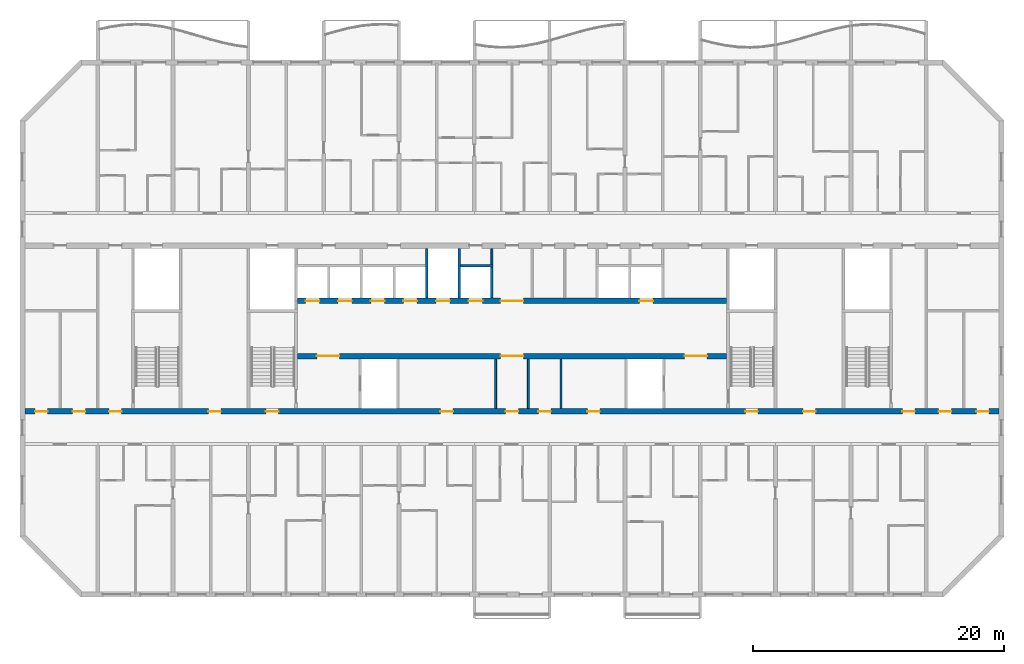
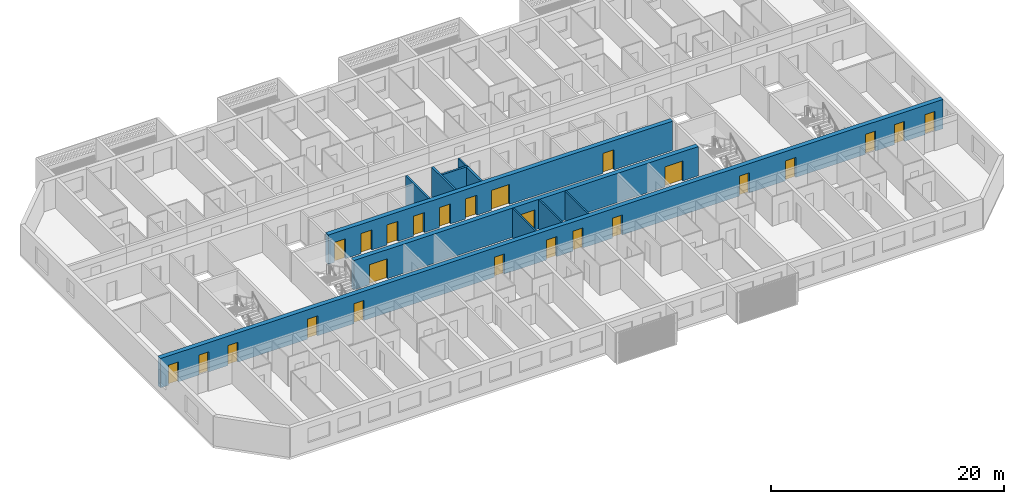
# One storey, part 6 of 31: 25 doors, 11 walls, 25 openings.
"""IFC4 building model written with IfcOpenShell, lengths in metres."""

from ifc_helpers import new_model, si_unit, direction, frame, frame_2d, origin, place, context, subcontext, project, spatial, rectangle, extrude, material, layer, layer_set, type_object, element, fill, save


model = new_model("IFC4")

# Units and contexts
model_context = context("Model", 3, precision=1e-05, world=origin(), true_north=direction((0.0, 1.0)))
body_context = subcontext(model_context, "Body", "Model", "MODEL_VIEW")
ifc_project = project(units=[si_unit("LENGTHUNIT", "METRE"), si_unit("AREAUNIT", "SQUARE_METRE"), si_unit("VOLUMEUNIT", "CUBIC_METRE"), si_unit("PLANEANGLEUNIT", "RADIAN"), si_unit("MASSUNIT", "GRAM", prefix="KILO")], contexts=[model_context])

# Site, building, storey
site_placement = place(None, origin())
site = spatial("IfcSite", under=ifc_project, at=site_placement, CompositionType="ELEMENT")
building_placement = place(site_placement, origin())
building = spatial("IfcBuilding", under=site, at=building_placement, Name="Poui Terraces", CompositionType="ELEMENT")
storey_placement = place(building_placement, frame((0.0, 0.0, 142.199951171875)))
storey = spatial("IfcBuildingStorey", under=building, at=storey_placement, Name="L39", CompositionType="ELEMENT", Elevation=142.199951171875)

# Wall, openings, doors
ifc_material_1 = material(Name="Concrete 65 MPa", Category="concrete")
ifc_layer_1 = layer(ifc_material_1, 0.449951171875)
ifc_layer_set_1 = layer_set([ifc_layer_1], Name="Concrete 65 MPa")
wall_type_1 = type_object("IfcWallType", Name="CORE WALL 450 65 MPA", PredefinedType="SOLIDWALL", material=ifc_layer_set_1)
wall_1_placement = place(storey_placement, frame((33.925048828125, 19.0, 0.0), z_axis=(0.0, 0.0, 1.0), x_axis=(1.0, 0.0, 0.0)))
wall_1 = element("IfcWall", 1, at=wall_1_placement, inside=storey, type_object=wall_type_1, Name="CORE WALL", PredefinedType="SOLIDWALL", context=body_context, shape_type="SweptSolid", body=[
    extrude(rectangle(XDim=34.14990234375, YDim=0.449951171875, at=frame_2d((17.074951171875, 0.0))), origin(), (0.0, 0.0, 1.0), 3.070068359375),
])
opening_1_placement = place(wall_1_placement, frame((16.175048828125, 0.0, 0.0)))
opening_1 = element("IfcOpeningElement", 2, at=opening_1_placement, cuts=wall_1, Name="Opening FDD60", PredefinedType="OPENING", context=body_context, shape_type="SweptSolid", body=[
    extrude(rectangle(XDim=1.800048828125, YDim=2.10009765625, at=frame_2d((0.89990234375, 1.050048828125))), frame((0.0, 0.23486328125, 0.0), z_axis=(0.0, -1.0, 0.0), x_axis=(1.0, 0.0, 0.0)), (0.0, 0.0, 1.0), 0.469970703125),
])
opening_2_placement = place(wall_1_placement, frame((1.52490234375, 0.0, 0.0)))
opening_2 = element("IfcOpeningElement", 3, at=opening_2_placement, cuts=wall_1, Name="Opening FDD60", PredefinedType="OPENING", context=body_context, shape_type="SweptSolid", body=[
    extrude(rectangle(XDim=1.800048828125, YDim=2.10009765625, at=frame_2d((0.89990234375, 1.050048828125))), frame((0.0, 0.23486328125, 0.0), z_axis=(0.0, -1.0, 0.0), x_axis=(1.0, 0.0, 0.0)), (0.0, 0.0, 1.0), 0.469970703125),
])
opening_3_placement = place(wall_1_placement, frame((30.824951171875, 0.0, 0.0)))
opening_3 = element("IfcOpeningElement", 4, at=opening_3_placement, cuts=wall_1, Name="Opening FDD60", PredefinedType="OPENING", context=body_context, shape_type="SweptSolid", body=[
    extrude(rectangle(XDim=1.800048828125, YDim=2.10009765625, at=frame_2d((0.89990234375, 1.050048828125))), frame((0.0, 0.23486328125, 0.0), z_axis=(0.0, -1.0, 0.0), x_axis=(1.0, 0.0, 0.0)), (0.0, 0.0, 1.0), 0.469970703125),
])
ifc_material_2 = material(Name="Steel fire door", Category="steel")
door_type_1 = type_object("IfcDoorType", Name="DOUBLE LOBBY FIRE DOOR 1800 X 2100", OperationType="DOUBLE_DOOR_SINGLE_SWING", PredefinedType="DOOR", material=ifc_material_2)
door_1_placement = place(opening_1_placement, frame((1.800048828125, 0.0, 0.0), z_axis=(0.0, 0.0, 1.0), x_axis=(-1.0, 0.0, 0.0)))
door_1 = element("IfcDoor", 5, at=door_1_placement, inside=storey, type_object=door_type_1, Name="DOUBLE LOBBY FIRE DOOR 125", OperationType="DOUBLE_DOOR_SINGLE_SWING", OverallHeight=2.10009765625, OverallWidth=1.800048828125, PredefinedType="DOOR", context=body_context, shape_type="SweptSolid", body=[
    extrude(rectangle(XDim=1.800048828125, YDim=2.10009765625, at=frame_2d((0.89990234375, 1.050048828125))), frame((0.0, 0.02490234375, 0.0), z_axis=(0.0, -1.0, 0.0), x_axis=(1.0, 0.0, 0.0)), (0.0, 0.0, 1.0), 0.050048828125),
])
fill(opening_1, door_1)
door_2_placement = place(opening_2_placement, origin())
door_2 = element("IfcDoor", 6, at=door_2_placement, inside=storey, type_object=door_type_1, Name="DOUBLE LOBBY FIRE DOOR 127", OperationType="DOUBLE_DOOR_SINGLE_SWING", OverallHeight=2.10009765625, OverallWidth=1.800048828125, PredefinedType="DOOR", context=body_context, shape_type="SweptSolid", body=[
    extrude(rectangle(XDim=1.800048828125, YDim=2.10009765625, at=frame_2d((0.89990234375, 1.050048828125))), frame((0.0, 0.02490234375, 0.0), z_axis=(0.0, -1.0, 0.0), x_axis=(1.0, 0.0, 0.0)), (0.0, 0.0, 1.0), 0.050048828125),
])
fill(opening_2, door_2)
door_3_placement = place(opening_3_placement, origin())
door_3 = element("IfcDoor", 7, at=door_3_placement, inside=storey, type_object=door_type_1, Name="DOUBLE LOBBY FIRE DOOR 134", OperationType="DOUBLE_DOOR_SINGLE_SWING", OverallHeight=2.10009765625, OverallWidth=1.800048828125, PredefinedType="DOOR", context=body_context, shape_type="SweptSolid", body=[
    extrude(rectangle(XDim=1.800048828125, YDim=2.10009765625, at=frame_2d((0.89990234375, 1.050048828125))), frame((0.0, 0.02490234375, 0.0), z_axis=(0.0, -1.0, 0.0), x_axis=(1.0, 0.0, 0.0)), (0.0, 0.0, 1.0), 0.050048828125),
])
fill(opening_3, door_3)

wall_2_placement = place(storey_placement, frame((33.925048828125, 23.39990234375, 0.0), z_axis=(0.0, 0.0, 1.0), x_axis=(1.0, 0.0, 0.0)))
wall_2 = element("IfcWall", 8, at=wall_2_placement, inside=storey, type_object=wall_type_1, Name="CORE WALL", PredefinedType="SOLIDWALL", context=body_context, shape_type="SweptSolid", body=[
    extrude(rectangle(XDim=34.14990234375, YDim=0.449951171875, at=frame_2d((17.074951171875, 0.0))), origin(), (0.0, 0.0, 1.0), 3.070068359375),
])
opening_4_placement = place(wall_2_placement, frame((16.175048828125, 0.0, 0.0)))
opening_4 = element("IfcOpeningElement", 9, at=opening_4_placement, cuts=wall_2, Name="Opening FDD60", PredefinedType="OPENING", context=body_context, shape_type="SweptSolid", body=[
    extrude(rectangle(XDim=1.800048828125, YDim=2.10009765625, at=frame_2d((0.89990234375, 1.050048828125))), frame((0.0, 0.23486328125, 0.0), z_axis=(0.0, -1.0, 0.0), x_axis=(1.0, 0.0, 0.0)), (0.0, 0.0, 1.0), 0.469970703125),
])
opening_5_placement = place(wall_2_placement, frame((0.625, 0.0, 0.0)))
opening_5 = element("IfcOpeningElement", 10, at=opening_5_placement, cuts=wall_2, Name="Opening LD", PredefinedType="OPENING", context=body_context, shape_type="SweptSolid", body=[
    extrude(rectangle(XDim=1.10009765625, YDim=2.10009765625, at=frame_2d((0.550048828125, 1.050048828125))), frame((0.0, 0.23486328125, 0.0), z_axis=(0.0, -1.0, 0.0), x_axis=(1.0, 0.0, 0.0)), (0.0, 0.0, 1.0), 0.469970703125),
])
opening_6_placement = place(wall_2_placement, frame((3.22509765625, 0.0, 0.0)))
opening_6 = element("IfcOpeningElement", 11, at=opening_6_placement, cuts=wall_2, Name="Opening LD", PredefinedType="OPENING", context=body_context, shape_type="SweptSolid", body=[
    extrude(rectangle(XDim=1.10009765625, YDim=2.10009765625, at=frame_2d((0.550048828125, 1.050048828125))), frame((0.0, 0.23486328125, 0.0), z_axis=(0.0, -1.0, 0.0), x_axis=(1.0, 0.0, 0.0)), (0.0, 0.0, 1.0), 0.469970703125),
])
opening_7_placement = place(wall_2_placement, frame((5.824951171875, 0.0, 0.0)))
opening_7 = element("IfcOpeningElement", 12, at=opening_7_placement, cuts=wall_2, Name="Opening LD", PredefinedType="OPENING", context=body_context, shape_type="SweptSolid", body=[
    extrude(rectangle(XDim=1.10009765625, YDim=2.10009765625, at=frame_2d((0.550048828125, 1.050048828125))), frame((0.0, 0.23486328125, 0.0), z_axis=(0.0, -1.0, 0.0), x_axis=(1.0, 0.0, 0.0)), (0.0, 0.0, 1.0), 0.469970703125),
])
opening_8_placement = place(wall_2_placement, frame((8.425048828125, 0.0, 0.0)))
opening_8 = element("IfcOpeningElement", 13, at=opening_8_placement, cuts=wall_2, Name="Opening LD", PredefinedType="OPENING", context=body_context, shape_type="SweptSolid", body=[
    extrude(rectangle(XDim=1.10009765625, YDim=2.10009765625, at=frame_2d((0.550048828125, 1.050048828125))), frame((0.0, 0.23486328125, 0.0), z_axis=(0.0, -1.0, 0.0), x_axis=(1.0, 0.0, 0.0)), (0.0, 0.0, 1.0), 0.469970703125),
])
opening_9_placement = place(wall_2_placement, frame((11.02490234375, 0.0, 0.0)))
opening_9 = element("IfcOpeningElement", 14, at=opening_9_placement, cuts=wall_2, Name="Opening LD", PredefinedType="OPENING", context=body_context, shape_type="SweptSolid", body=[
    extrude(rectangle(XDim=1.10009765625, YDim=2.10009765625, at=frame_2d((0.550048828125, 1.050048828125))), frame((0.0, 0.23486328125, 0.0), z_axis=(0.0, -1.0, 0.0), x_axis=(1.0, 0.0, 0.0)), (0.0, 0.0, 1.0), 0.469970703125),
])
opening_10_placement = place(wall_2_placement, frame((13.625, 0.0, 0.0)))
opening_10 = element("IfcOpeningElement", 15, at=opening_10_placement, cuts=wall_2, Name="Opening LD", PredefinedType="OPENING", context=body_context, shape_type="SweptSolid", body=[
    extrude(rectangle(XDim=1.10009765625, YDim=2.10009765625, at=frame_2d((0.550048828125, 1.050048828125))), frame((0.0, 0.23486328125, 0.0), z_axis=(0.0, -1.0, 0.0), x_axis=(1.0, 0.0, 0.0)), (0.0, 0.0, 1.0), 0.469970703125),
])
opening_11_placement = place(wall_2_placement, frame((27.22509765625, 0.0, 0.0)))
opening_11 = element("IfcOpeningElement", 16, at=opening_11_placement, cuts=wall_2, Name="Opening LD", PredefinedType="OPENING", context=body_context, shape_type="SweptSolid", body=[
    extrude(rectangle(XDim=1.10009765625, YDim=2.10009765625, at=frame_2d((0.550048828125, 1.050048828125))), frame((0.0, 0.23486328125, 0.0), z_axis=(0.0, -1.0, 0.0), x_axis=(1.0, 0.0, 0.0)), (0.0, 0.0, 1.0), 0.469970703125),
])
door_4_placement = place(opening_4_placement, origin())
door_4 = element("IfcDoor", 17, at=door_4_placement, inside=storey, type_object=door_type_1, Name="DOUBLE LOBBY FIRE DOOR 124", OperationType="DOUBLE_DOOR_SINGLE_SWING", OverallHeight=2.10009765625, OverallWidth=1.800048828125, PredefinedType="DOOR", context=body_context, shape_type="SweptSolid", body=[
    extrude(rectangle(XDim=1.800048828125, YDim=2.10009765625, at=frame_2d((0.89990234375, 1.050048828125))), frame((0.0, 0.02490234375, 0.0), z_axis=(0.0, -1.0, 0.0), x_axis=(1.0, 0.0, 0.0)), (0.0, 0.0, 1.0), 0.050048828125),
])
fill(opening_4, door_4)
ifc_material_3 = material(Name="Stainless steel sliding door", Category="steel")
door_type_2 = type_object("IfcDoorType", Name="LIFT LANDING DOOR 1100 X 2100", OperationType="DOUBLE_DOOR_SLIDING", PredefinedType="DOOR", material=ifc_material_3)
door_5_placement = place(opening_5_placement, origin())
door_5 = element("IfcDoor", 18, at=door_5_placement, inside=storey, type_object=door_type_2, Name="LANDING DOOR", OperationType="DOUBLE_DOOR_SLIDING", OverallHeight=2.10009765625, OverallWidth=1.10009765625, PredefinedType="DOOR", context=body_context, shape_type="SweptSolid", body=[
    extrude(rectangle(XDim=1.10009765625, YDim=2.10009765625, at=frame_2d((0.550048828125, 1.050048828125))), frame((0.0, 0.02490234375, 0.0), z_axis=(0.0, -1.0, 0.0), x_axis=(1.0, 0.0, 0.0)), (0.0, 0.0, 1.0), 0.050048828125),
])
fill(opening_5, door_5)
door_6_placement = place(opening_6_placement, origin())
door_6 = element("IfcDoor", 19, at=door_6_placement, inside=storey, type_object=door_type_2, Name="LANDING DOOR", OperationType="DOUBLE_DOOR_SLIDING", OverallHeight=2.10009765625, OverallWidth=1.10009765625, PredefinedType="DOOR", context=body_context, shape_type="SweptSolid", body=[
    extrude(rectangle(XDim=1.10009765625, YDim=2.10009765625, at=frame_2d((0.550048828125, 1.050048828125))), frame((0.0, 0.02490234375, 0.0), z_axis=(0.0, -1.0, 0.0), x_axis=(1.0, 0.0, 0.0)), (0.0, 0.0, 1.0), 0.050048828125),
])
fill(opening_6, door_6)
door_7_placement = place(opening_7_placement, origin())
door_7 = element("IfcDoor", 20, at=door_7_placement, inside=storey, type_object=door_type_2, Name="LANDING DOOR", OperationType="DOUBLE_DOOR_SLIDING", OverallHeight=2.10009765625, OverallWidth=1.10009765625, PredefinedType="DOOR", context=body_context, shape_type="SweptSolid", body=[
    extrude(rectangle(XDim=1.10009765625, YDim=2.10009765625, at=frame_2d((0.550048828125, 1.050048828125))), frame((0.0, 0.02490234375, 0.0), z_axis=(0.0, -1.0, 0.0), x_axis=(1.0, 0.0, 0.0)), (0.0, 0.0, 1.0), 0.050048828125),
])
fill(opening_7, door_7)
door_8_placement = place(opening_8_placement, origin())
door_8 = element("IfcDoor", 21, at=door_8_placement, inside=storey, type_object=door_type_2, Name="LANDING DOOR", OperationType="DOUBLE_DOOR_SLIDING", OverallHeight=2.10009765625, OverallWidth=1.10009765625, PredefinedType="DOOR", context=body_context, shape_type="SweptSolid", body=[
    extrude(rectangle(XDim=1.10009765625, YDim=2.10009765625, at=frame_2d((0.550048828125, 1.050048828125))), frame((0.0, 0.02490234375, 0.0), z_axis=(0.0, -1.0, 0.0), x_axis=(1.0, 0.0, 0.0)), (0.0, 0.0, 1.0), 0.050048828125),
])
fill(opening_8, door_8)
door_9_placement = place(opening_9_placement, origin())
door_9 = element("IfcDoor", 22, at=door_9_placement, inside=storey, type_object=door_type_2, Name="LANDING DOOR", OperationType="DOUBLE_DOOR_SLIDING", OverallHeight=2.10009765625, OverallWidth=1.10009765625, PredefinedType="DOOR", context=body_context, shape_type="SweptSolid", body=[
    extrude(rectangle(XDim=1.10009765625, YDim=2.10009765625, at=frame_2d((0.550048828125, 1.050048828125))), frame((0.0, 0.02490234375, 0.0), z_axis=(0.0, -1.0, 0.0), x_axis=(1.0, 0.0, 0.0)), (0.0, 0.0, 1.0), 0.050048828125),
])
fill(opening_9, door_9)
door_10_placement = place(opening_10_placement, origin())
door_10 = element("IfcDoor", 23, at=door_10_placement, inside=storey, type_object=door_type_2, Name="LANDING DOOR", OperationType="DOUBLE_DOOR_SLIDING", OverallHeight=2.10009765625, OverallWidth=1.10009765625, PredefinedType="DOOR", context=body_context, shape_type="SweptSolid", body=[
    extrude(rectangle(XDim=1.10009765625, YDim=2.10009765625, at=frame_2d((0.550048828125, 1.050048828125))), frame((0.0, 0.02490234375, 0.0), z_axis=(0.0, -1.0, 0.0), x_axis=(1.0, 0.0, 0.0)), (0.0, 0.0, 1.0), 0.050048828125),
])
fill(opening_10, door_10)
door_11_placement = place(opening_11_placement, origin())
door_11 = element("IfcDoor", 24, at=door_11_placement, inside=storey, type_object=door_type_2, Name="LANDING DOOR", OperationType="DOUBLE_DOOR_SLIDING", OverallHeight=2.10009765625, OverallWidth=1.10009765625, PredefinedType="DOOR", context=body_context, shape_type="SweptSolid", body=[
    extrude(rectangle(XDim=1.10009765625, YDim=2.10009765625, at=frame_2d((0.550048828125, 1.050048828125))), frame((0.0, 0.02490234375, 0.0), z_axis=(0.0, -1.0, 0.0), x_axis=(1.0, 0.0, 0.0)), (0.0, 0.0, 1.0), 0.050048828125),
])
fill(opening_11, door_11)

# Walls
ifc_material_4 = material(Name="Fire-rated plasterboard wall")
ifc_layer_2 = layer(ifc_material_4, 0.14990234375)
ifc_layer_set_2 = layer_set([ifc_layer_2], Name="Fire-rated plasterboard wall")
wall_type_2 = type_object("IfcWallType", Name="CORRIDOR WALL 150", PredefinedType="PARTITIONING", material=ifc_layer_set_2)
wall_3_placement = place(storey_placement, frame((49.39990234375, 26.300048828125, 0.0), z_axis=(0.0, 0.0, 1.0), x_axis=(0.0, 1.0, 0.0)))
element("IfcWall", 25, at=wall_3_placement, inside=storey, type_object=wall_type_2, Name="CORRIDOR WALL 150", PredefinedType="PARTITIONING", context=body_context, shape_type="SweptSolid", body=[
    extrude(rectangle(XDim=1.264892578125, YDim=0.14990234375, at=frame_2d((0.63232421875, 0.0))), origin(), (0.0, 0.0, 1.0), 3.070068359375),
])
for number, where, z_axis, x_axis, name in (
    (26, (49.699951171875, 14.8349609375, 0.0), (0.0, 0.0, 1.0), (0.0, 1.0, 0.0), "CORRIDOR WALL 150"),
    (27, (52.300048828125, 14.8349609375, 0.0), (0.0, 0.0, 1.0), (0.0, 1.0, 0.0), "CORRIDOR WALL 150"),
):
    element("IfcWall", number, at=place(storey_placement, frame(where, z_axis=z_axis, x_axis=x_axis)), inside=storey, type_object=wall_type_2, Name=name, PredefinedType="PARTITIONING", context=body_context, shape_type="SweptSolid", body=[
        extrude(rectangle(XDim=3.929931640625, YDim=0.14990234375, at=frame_2d((1.96484375, 0.0))), origin(), (0.0, 0.0, 1.0), 3.070068359375),
    ])
ifc_material_5 = material(Name="Plasterboard partition")
ifc_layer_3 = layer(ifc_material_5, 0.14990234375)
ifc_layer_set_3 = layer_set([ifc_layer_3], Name="Plasterboard partition")
wall_type_3 = type_object("IfcWallType", Name="PARTITION WALL 150", PredefinedType="PARTITIONING", material=ifc_layer_set_3)
wall_4_placement = place(storey_placement, frame((54.89990234375, 14.8349609375, 0.0), z_axis=(0.0, 0.0, 1.0), x_axis=(0.0, 1.0, 0.0)))
element("IfcWall", 28, at=wall_4_placement, inside=storey, type_object=wall_type_3, Name="PARTITION WALL 150", PredefinedType="PARTITIONING", context=body_context, shape_type="SweptSolid", body=[
    extrude(rectangle(XDim=3.929931640625, YDim=0.14990234375, at=frame_2d((1.96484375, 0.0))), origin(), (0.0, 0.0, 1.0), 3.070068359375),
])
ifc_material_6 = material(Name="Fire-rated masonry shaft wall", Category="masonry")
ifc_layer_4 = layer(ifc_material_6, 0.199951171875)
ifc_layer_set_4 = layer_set([ifc_layer_4], Name="Fire-rated masonry shaft wall")
wall_type_4 = type_object("IfcWallType", Name="SHAFT WALL 200", PredefinedType="PARTITIONING", material=ifc_layer_set_4)
wall_5_placement = place(storey_placement, frame((46.89990234375, 26.199951171875, 0.0), z_axis=(0.0, 0.0, 1.0), x_axis=(1.0, 0.0, 0.0)))
element("IfcWall", 29, at=wall_5_placement, inside=storey, type_object=wall_type_4, Name="SHAFT WALL 200", PredefinedType="PARTITIONING", context=body_context, shape_type="SweptSolid", body=[
    extrude(rectangle(XDim=2.60009765625, YDim=0.199951171875, at=frame_2d((1.300048828125, 0.0))), origin(), (0.0, 0.0, 1.0), 3.070068359375),
])
for number, where, z_axis, x_axis, name in (
    (30, (44.199951171875, 23.635009765625, 0.0), (0.0, 0.0, 1.0), (0.0, 1.0, 0.0), "SHAFT WALL 200"),
    (31, (46.800048828125, 23.635009765625, 0.0), (0.0, 0.0, 1.0), (0.0, 1.0, 0.0), "SHAFT WALL 200"),
):
    element("IfcWall", number, at=place(storey_placement, frame(where, z_axis=z_axis, x_axis=x_axis)), inside=storey, type_object=wall_type_4, Name=name, PredefinedType="PARTITIONING", context=body_context, shape_type="SweptSolid", body=[
        extrude(rectangle(XDim=3.929931640625, YDim=0.199951171875, at=frame_2d((1.96484375, 0.0))), origin(), (0.0, 0.0, 1.0), 3.070068359375),
    ])
wall_6_placement = place(storey_placement, frame((49.39990234375, 23.635009765625, 0.0), z_axis=(0.0, 0.0, 1.0), x_axis=(0.0, 1.0, 0.0)))
element("IfcWall", 32, at=wall_6_placement, inside=storey, type_object=wall_type_4, Name="SHAFT WALL 200", PredefinedType="PARTITIONING", context=body_context, shape_type="SweptSolid", body=[
    extrude(rectangle(XDim=2.465087890625, YDim=0.199951171875, at=frame_2d((1.232421875, 0.0))), origin(), (0.0, 0.0, 1.0), 3.070068359375),
])

# Wall, openings, doors
ifc_layer_5 = layer(ifc_material_1, 0.449951171875)
ifc_layer_set_5 = layer_set([ifc_layer_5], Name="Concrete 65 MPa")
wall_type_5 = type_object("IfcWallType", Name="SPINE WALL 450 65 MPA", PredefinedType="SOLIDWALL", material=ifc_layer_set_5)
wall_7_placement = place(storey_placement, frame((12.199951171875, 14.60009765625, 0.0), z_axis=(0.0, 0.0, 1.0), x_axis=(1.0, 0.0, 0.0)))
wall_7 = element("IfcWall", 33, at=wall_7_placement, inside=storey, type_object=wall_type_5, Name="SPINE WALL", PredefinedType="SOLIDWALL", context=body_context, shape_type="SweptSolid", body=[
    extrude(rectangle(XDim=77.60009765625, YDim=0.449951171875, at=frame_2d((38.800048828125, 0.0))), origin(), (0.0, 0.0, 1.0), 3.070068359375),
])
opening_12_placement = place(wall_7_placement, frame((0.800048828125, 0.0, 0.0)))
opening_12 = element("IfcOpeningElement", 34, at=opening_12_placement, cuts=wall_7, Name="Opening FD60", PredefinedType="OPENING", context=body_context, shape_type="SweptSolid", body=[
    extrude(rectangle(XDim=1.0, YDim=2.10009765625, at=frame_2d((0.5, 1.050048828125))), frame((0.0, 0.23486328125, 0.0), z_axis=(0.0, -1.0, 0.0), x_axis=(1.0, 0.0, 0.0)), (0.0, 0.0, 1.0), 0.469970703125),
])
opening_13_placement = place(wall_7_placement, frame((3.800048828125, 0.0, 0.0)))
opening_13 = element("IfcOpeningElement", 35, at=opening_13_placement, cuts=wall_7, Name="Opening FD60", PredefinedType="OPENING", context=body_context, shape_type="SweptSolid", body=[
    extrude(rectangle(XDim=1.0, YDim=2.10009765625, at=frame_2d((0.5, 1.050048828125))), frame((0.0, 0.23486328125, 0.0), z_axis=(0.0, -1.0, 0.0), x_axis=(1.0, 0.0, 0.0)), (0.0, 0.0, 1.0), 0.469970703125),
])
opening_14_placement = place(wall_7_placement, frame((6.699951171875, 0.0, 0.0)))
opening_14 = element("IfcOpeningElement", 36, at=opening_14_placement, cuts=wall_7, Name="Opening FDL", PredefinedType="OPENING", context=body_context, shape_type="SweptSolid", body=[
    extrude(rectangle(XDim=1.0, YDim=2.10009765625, at=frame_2d((0.5, 1.050048828125))), frame((0.0, 0.23486328125, 0.0), z_axis=(0.0, -1.0, 0.0), x_axis=(1.0, 0.0, 0.0)), (0.0, 0.0, 1.0), 0.469970703125),
])
opening_15_placement = place(wall_7_placement, frame((14.60009765625, 0.0, 0.0)))
opening_15 = element("IfcOpeningElement", 37, at=opening_15_placement, cuts=wall_7, Name="Opening D100", PredefinedType="OPENING", context=body_context, shape_type="SweptSolid", body=[
    extrude(rectangle(XDim=1.0, YDim=2.10009765625, at=frame_2d((0.5, 1.050048828125))), frame((0.0, 0.23486328125, 0.0), z_axis=(0.0, -1.0, 0.0), x_axis=(1.0, 0.0, 0.0)), (0.0, 0.0, 1.0), 0.469970703125),
])
opening_16_placement = place(wall_7_placement, frame((19.199951171875, 0.0, 0.0)))
opening_16 = element("IfcOpeningElement", 38, at=opening_16_placement, cuts=wall_7, Name="Opening FD60S", PredefinedType="OPENING", context=body_context, shape_type="SweptSolid", body=[
    extrude(rectangle(XDim=1.0, YDim=2.10009765625, at=frame_2d((0.5, 1.050048828125))), frame((0.0, 0.23486328125, 0.0), z_axis=(0.0, -1.0, 0.0), x_axis=(1.0, 0.0, 0.0)), (0.0, 0.0, 1.0), 0.469970703125),
])
opening_17_placement = place(wall_7_placement, frame((33.10009765625, 0.0, 0.0)))
opening_17 = element("IfcOpeningElement", 39, at=opening_17_placement, cuts=wall_7, Name="Opening FD60", PredefinedType="OPENING", context=body_context, shape_type="SweptSolid", body=[
    extrude(rectangle(XDim=1.0, YDim=2.10009765625, at=frame_2d((0.5, 1.050048828125))), frame((0.0, 0.23486328125, 0.0), z_axis=(0.0, -1.0, 0.0), x_axis=(1.0, 0.0, 0.0)), (0.0, 0.0, 1.0), 0.469970703125),
])
opening_18_placement = place(wall_7_placement, frame((38.300048828125, 0.0, 0.0)))
opening_18 = element("IfcOpeningElement", 40, at=opening_18_placement, cuts=wall_7, Name="Opening FDL", PredefinedType="OPENING", context=body_context, shape_type="SweptSolid", body=[
    extrude(rectangle(XDim=1.0, YDim=2.10009765625, at=frame_2d((0.5, 1.050048828125))), frame((0.0, 0.23486328125, 0.0), z_axis=(0.0, -1.0, 0.0), x_axis=(1.0, 0.0, 0.0)), (0.0, 0.0, 1.0), 0.469970703125),
])
opening_19_placement = place(wall_7_placement, frame((40.89990234375, 0.0, 0.0)))
opening_19 = element("IfcOpeningElement", 41, at=opening_19_placement, cuts=wall_7, Name="Opening FD60", PredefinedType="OPENING", context=body_context, shape_type="SweptSolid", body=[
    extrude(rectangle(XDim=1.0, YDim=2.10009765625, at=frame_2d((0.5, 1.050048828125))), frame((0.0, 0.23486328125, 0.0), z_axis=(0.0, -1.0, 0.0), x_axis=(1.0, 0.0, 0.0)), (0.0, 0.0, 1.0), 0.469970703125),
])
opening_20_placement = place(wall_7_placement, frame((44.800048828125, 0.0, 0.0)))
opening_20 = element("IfcOpeningElement", 42, at=opening_20_placement, cuts=wall_7, Name="Opening FD60", PredefinedType="OPENING", context=body_context, shape_type="SweptSolid", body=[
    extrude(rectangle(XDim=1.0, YDim=2.10009765625, at=frame_2d((0.5, 1.050048828125))), frame((0.0, 0.23486328125, 0.0), z_axis=(0.0, -1.0, 0.0), x_axis=(1.0, 0.0, 0.0)), (0.0, 0.0, 1.0), 0.469970703125),
])
opening_21_placement = place(wall_7_placement, frame((57.39990234375, 0.0, 0.0)))
opening_21 = element("IfcOpeningElement", 43, at=opening_21_placement, cuts=wall_7, Name="Opening FD60S", PredefinedType="OPENING", context=body_context, shape_type="SweptSolid", body=[
    extrude(rectangle(XDim=1.0, YDim=2.10009765625, at=frame_2d((0.5, 1.050048828125))), frame((0.0, 0.23486328125, 0.0), z_axis=(0.0, -1.0, 0.0), x_axis=(1.0, 0.0, 0.0)), (0.0, 0.0, 1.0), 0.469970703125),
])
opening_22_placement = place(wall_7_placement, frame((62.0, 0.0, 0.0)))
opening_22 = element("IfcOpeningElement", 44, at=opening_22_placement, cuts=wall_7, Name="Opening D100", PredefinedType="OPENING", context=body_context, shape_type="SweptSolid", body=[
    extrude(rectangle(XDim=1.0, YDim=2.10009765625, at=frame_2d((0.5, 1.050048828125))), frame((0.0, 0.23486328125, 0.0), z_axis=(0.0, -1.0, 0.0), x_axis=(1.0, 0.0, 0.0)), (0.0, 0.0, 1.0), 0.469970703125),
])
opening_23_placement = place(wall_7_placement, frame((69.89990234375, 0.0, 0.0)))
opening_23 = element("IfcOpeningElement", 45, at=opening_23_placement, cuts=wall_7, Name="Opening FDL", PredefinedType="OPENING", context=body_context, shape_type="SweptSolid", body=[
    extrude(rectangle(XDim=1.0, YDim=2.10009765625, at=frame_2d((0.5, 1.050048828125))), frame((0.0, 0.23486328125, 0.0), z_axis=(0.0, -1.0, 0.0), x_axis=(1.0, 0.0, 0.0)), (0.0, 0.0, 1.0), 0.469970703125),
])
opening_24_placement = place(wall_7_placement, frame((72.800048828125, 0.0, 0.0)))
opening_24 = element("IfcOpeningElement", 46, at=opening_24_placement, cuts=wall_7, Name="Opening FD60", PredefinedType="OPENING", context=body_context, shape_type="SweptSolid", body=[
    extrude(rectangle(XDim=1.0, YDim=2.10009765625, at=frame_2d((0.5, 1.050048828125))), frame((0.0, 0.23486328125, 0.0), z_axis=(0.0, -1.0, 0.0), x_axis=(1.0, 0.0, 0.0)), (0.0, 0.0, 1.0), 0.469970703125),
])
opening_25_placement = place(wall_7_placement, frame((75.800048828125, 0.0, 0.0)))
opening_25 = element("IfcOpeningElement", 47, at=opening_25_placement, cuts=wall_7, Name="Opening D100", PredefinedType="OPENING", context=body_context, shape_type="SweptSolid", body=[
    extrude(rectangle(XDim=1.0, YDim=2.10009765625, at=frame_2d((0.5, 1.050048828125))), frame((0.0, 0.23486328125, 0.0), z_axis=(0.0, -1.0, 0.0), x_axis=(1.0, 0.0, 0.0)), (0.0, 0.0, 1.0), 0.469970703125),
])
ifc_material_7 = material(Name="Solid core timber door", Category="wood")
door_type_3 = type_object("IfcDoorType", Name="ACCESSIBLE INTERNAL DOOR 1000 X 2100", OperationType="NOTDEFINED", PredefinedType="DOOR", material=ifc_material_7)
door_12_placement = place(opening_15_placement, frame((1.0, 0.0, 0.0), z_axis=(0.0, 0.0, 1.0), x_axis=(-1.0, 0.0, 0.0)))
door_12 = element("IfcDoor", 48, at=door_12_placement, inside=storey, type_object=door_type_3, Name="ACCESSIBLE INTERNAL DOOR 021", OperationType="SINGLE_SWING_RIGHT", OverallHeight=2.10009765625, OverallWidth=1.0, PredefinedType="DOOR", context=body_context, shape_type="SweptSolid", body=[
    extrude(rectangle(XDim=1.0, YDim=2.10009765625, at=frame_2d((0.5, 1.050048828125))), frame((0.0, 0.02490234375, 0.0), z_axis=(0.0, -1.0, 0.0), x_axis=(1.0, 0.0, 0.0)), (0.0, 0.0, 1.0), 0.050048828125),
])
fill(opening_15, door_12)
door_13_placement = place(opening_22_placement, frame((1.0, 0.0, 0.0), z_axis=(0.0, 0.0, 1.0), x_axis=(-1.0, 0.0, 0.0)))
door_13 = element("IfcDoor", 49, at=door_13_placement, inside=storey, type_object=door_type_3, Name="ACCESSIBLE INTERNAL DOOR 028", OperationType="SINGLE_SWING_LEFT", OverallHeight=2.10009765625, OverallWidth=1.0, PredefinedType="DOOR", context=body_context, shape_type="SweptSolid", body=[
    extrude(rectangle(XDim=1.0, YDim=2.10009765625, at=frame_2d((0.5, 1.050048828125))), frame((0.0, 0.02490234375, 0.0), z_axis=(0.0, -1.0, 0.0), x_axis=(1.0, 0.0, 0.0)), (0.0, 0.0, 1.0), 0.050048828125),
])
fill(opening_22, door_13)
door_14_placement = place(opening_25_placement, frame((1.0, 0.0, 0.0), z_axis=(0.0, 0.0, 1.0), x_axis=(-1.0, 0.0, 0.0)))
door_14 = element("IfcDoor", 50, at=door_14_placement, inside=storey, type_object=door_type_3, Name="ACCESSIBLE INTERNAL DOOR 031", OperationType="SINGLE_SWING_RIGHT", OverallHeight=2.10009765625, OverallWidth=1.0, PredefinedType="DOOR", context=body_context, shape_type="SweptSolid", body=[
    extrude(rectangle(XDim=1.0, YDim=2.10009765625, at=frame_2d((0.5, 1.050048828125))), frame((0.0, 0.02490234375, 0.0), z_axis=(0.0, -1.0, 0.0), x_axis=(1.0, 0.0, 0.0)), (0.0, 0.0, 1.0), 0.050048828125),
])
fill(opening_25, door_14)
door_type_4 = type_object("IfcDoorType", Name="LOBBY FIRE DOOR 1000 X 2100", OperationType="NOTDEFINED", PredefinedType="DOOR", material=ifc_material_2)
door_15_placement = place(opening_14_placement, frame((1.0, 0.0, 0.0), z_axis=(0.0, 0.0, 1.0), x_axis=(-1.0, 0.0, 0.0)))
door_15 = element("IfcDoor", 51, at=door_15_placement, inside=storey, type_object=door_type_4, Name="LOBBY FIRE DOOR 020", OperationType="SINGLE_SWING_RIGHT", OverallHeight=2.10009765625, OverallWidth=1.0, PredefinedType="DOOR", context=body_context, shape_type="SweptSolid", body=[
    extrude(rectangle(XDim=1.0, YDim=2.10009765625, at=frame_2d((0.5, 1.050048828125))), frame((0.0, 0.02490234375, 0.0), z_axis=(0.0, -1.0, 0.0), x_axis=(1.0, 0.0, 0.0)), (0.0, 0.0, 1.0), 0.050048828125),
])
fill(opening_14, door_15)
door_16_placement = place(opening_18_placement, frame((1.0, 0.0, 0.0), z_axis=(0.0, 0.0, 1.0), x_axis=(-1.0, 0.0, 0.0)))
door_16 = element("IfcDoor", 52, at=door_16_placement, inside=storey, type_object=door_type_4, Name="LOBBY FIRE DOOR 024", OperationType="SINGLE_SWING_LEFT", OverallHeight=2.10009765625, OverallWidth=1.0, PredefinedType="DOOR", context=body_context, shape_type="SweptSolid", body=[
    extrude(rectangle(XDim=1.0, YDim=2.10009765625, at=frame_2d((0.5, 1.050048828125))), frame((0.0, 0.02490234375, 0.0), z_axis=(0.0, -1.0, 0.0), x_axis=(1.0, 0.0, 0.0)), (0.0, 0.0, 1.0), 0.050048828125),
])
fill(opening_18, door_16)
door_17_placement = place(opening_23_placement, frame((1.0, 0.0, 0.0), z_axis=(0.0, 0.0, 1.0), x_axis=(-1.0, 0.0, 0.0)))
door_17 = element("IfcDoor", 53, at=door_17_placement, inside=storey, type_object=door_type_4, Name="LOBBY FIRE DOOR 029", OperationType="SINGLE_SWING_LEFT", OverallHeight=2.10009765625, OverallWidth=1.0, PredefinedType="DOOR", context=body_context, shape_type="SweptSolid", body=[
    extrude(rectangle(XDim=1.0, YDim=2.10009765625, at=frame_2d((0.5, 1.050048828125))), frame((0.0, 0.02490234375, 0.0), z_axis=(0.0, -1.0, 0.0), x_axis=(1.0, 0.0, 0.0)), (0.0, 0.0, 1.0), 0.050048828125),
])
fill(opening_23, door_17)
door_type_5 = type_object("IfcDoorType", Name="SERVICE ROOM FIRE DOOR 1000 X 2100", OperationType="NOTDEFINED", PredefinedType="DOOR", material=ifc_material_2)
door_18_placement = place(opening_12_placement, frame((1.0, 0.0, 0.0), z_axis=(0.0, 0.0, 1.0), x_axis=(-1.0, 0.0, 0.0)))
door_18 = element("IfcDoor", 54, at=door_18_placement, inside=storey, type_object=door_type_5, Name="SERVICE ROOM FIRE DOOR 018", OperationType="SINGLE_SWING_RIGHT", OverallHeight=2.10009765625, OverallWidth=1.0, PredefinedType="DOOR", context=body_context, shape_type="SweptSolid", body=[
    extrude(rectangle(XDim=1.0, YDim=2.10009765625, at=frame_2d((0.5, 1.050048828125))), frame((0.0, 0.02490234375, 0.0), z_axis=(0.0, -1.0, 0.0), x_axis=(1.0, 0.0, 0.0)), (0.0, 0.0, 1.0), 0.050048828125),
])
fill(opening_12, door_18)
door_19_placement = place(opening_13_placement, frame((1.0, 0.0, 0.0), z_axis=(0.0, 0.0, 1.0), x_axis=(-1.0, 0.0, 0.0)))
door_19 = element("IfcDoor", 55, at=door_19_placement, inside=storey, type_object=door_type_5, Name="SERVICE ROOM FIRE DOOR 019", OperationType="SINGLE_SWING_LEFT", OverallHeight=2.10009765625, OverallWidth=1.0, PredefinedType="DOOR", context=body_context, shape_type="SweptSolid", body=[
    extrude(rectangle(XDim=1.0, YDim=2.10009765625, at=frame_2d((0.5, 1.050048828125))), frame((0.0, 0.02490234375, 0.0), z_axis=(0.0, -1.0, 0.0), x_axis=(1.0, 0.0, 0.0)), (0.0, 0.0, 1.0), 0.050048828125),
])
fill(opening_13, door_19)
door_20_placement = place(opening_17_placement, frame((1.0, 0.0, 0.0), z_axis=(0.0, 0.0, 1.0), x_axis=(-1.0, 0.0, 0.0)))
door_20 = element("IfcDoor", 56, at=door_20_placement, inside=storey, type_object=door_type_5, Name="SERVICE ROOM FIRE DOOR 023", OperationType="SINGLE_SWING_LEFT", OverallHeight=2.10009765625, OverallWidth=1.0, PredefinedType="DOOR", context=body_context, shape_type="SweptSolid", body=[
    extrude(rectangle(XDim=1.0, YDim=2.10009765625, at=frame_2d((0.5, 1.050048828125))), frame((0.0, 0.02490234375, 0.0), z_axis=(0.0, -1.0, 0.0), x_axis=(1.0, 0.0, 0.0)), (0.0, 0.0, 1.0), 0.050048828125),
])
fill(opening_17, door_20)
door_21_placement = place(opening_19_placement, frame((1.0, 0.0, 0.0), z_axis=(0.0, 0.0, 1.0), x_axis=(-1.0, 0.0, 0.0)))
door_21 = element("IfcDoor", 57, at=door_21_placement, inside=storey, type_object=door_type_5, Name="SERVICE ROOM FIRE DOOR 025", OperationType="SINGLE_SWING_RIGHT", OverallHeight=2.10009765625, OverallWidth=1.0, PredefinedType="DOOR", context=body_context, shape_type="SweptSolid", body=[
    extrude(rectangle(XDim=1.0, YDim=2.10009765625, at=frame_2d((0.5, 1.050048828125))), frame((0.0, 0.02490234375, 0.0), z_axis=(0.0, -1.0, 0.0), x_axis=(1.0, 0.0, 0.0)), (0.0, 0.0, 1.0), 0.050048828125),
])
fill(opening_19, door_21)
door_22_placement = place(opening_20_placement, frame((1.0, 0.0, 0.0), z_axis=(0.0, 0.0, 1.0), x_axis=(-1.0, 0.0, 0.0)))
door_22 = element("IfcDoor", 58, at=door_22_placement, inside=storey, type_object=door_type_5, Name="SERVICE ROOM FIRE DOOR 026", OperationType="SINGLE_SWING_LEFT", OverallHeight=2.10009765625, OverallWidth=1.0, PredefinedType="DOOR", context=body_context, shape_type="SweptSolid", body=[
    extrude(rectangle(XDim=1.0, YDim=2.10009765625, at=frame_2d((0.5, 1.050048828125))), frame((0.0, 0.02490234375, 0.0), z_axis=(0.0, -1.0, 0.0), x_axis=(1.0, 0.0, 0.0)), (0.0, 0.0, 1.0), 0.050048828125),
])
fill(opening_20, door_22)
door_23_placement = place(opening_24_placement, frame((1.0, 0.0, 0.0), z_axis=(0.0, 0.0, 1.0), x_axis=(-1.0, 0.0, 0.0)))
door_23 = element("IfcDoor", 59, at=door_23_placement, inside=storey, type_object=door_type_5, Name="SERVICE ROOM FIRE DOOR 030", OperationType="SINGLE_SWING_LEFT", OverallHeight=2.10009765625, OverallWidth=1.0, PredefinedType="DOOR", context=body_context, shape_type="SweptSolid", body=[
    extrude(rectangle(XDim=1.0, YDim=2.10009765625, at=frame_2d((0.5, 1.050048828125))), frame((0.0, 0.02490234375, 0.0), z_axis=(0.0, -1.0, 0.0), x_axis=(1.0, 0.0, 0.0)), (0.0, 0.0, 1.0), 0.050048828125),
])
fill(opening_24, door_23)
door_type_6 = type_object("IfcDoorType", Name="STAIR DOOR 1000 X 2100", OperationType="NOTDEFINED", PredefinedType="DOOR", material=ifc_material_2)
door_24_placement = place(opening_16_placement, origin())
door_24 = element("IfcDoor", 60, at=door_24_placement, inside=storey, type_object=door_type_6, Name="STAIR DOOR 022", OperationType="SINGLE_SWING_RIGHT", OverallHeight=2.10009765625, OverallWidth=1.0, PredefinedType="DOOR", context=body_context, shape_type="SweptSolid", body=[
    extrude(rectangle(XDim=1.0, YDim=2.10009765625, at=frame_2d((0.5, 1.050048828125))), frame((0.0, 0.02490234375, 0.0), z_axis=(0.0, -1.0, 0.0), x_axis=(1.0, 0.0, 0.0)), (0.0, 0.0, 1.0), 0.050048828125),
])
fill(opening_16, door_24)
door_25_placement = place(opening_21_placement, origin())
door_25 = element("IfcDoor", 61, at=door_25_placement, inside=storey, type_object=door_type_6, Name="STAIR DOOR 027", OperationType="SINGLE_SWING_RIGHT", OverallHeight=2.10009765625, OverallWidth=1.0, PredefinedType="DOOR", context=body_context, shape_type="SweptSolid", body=[
    extrude(rectangle(XDim=1.0, YDim=2.10009765625, at=frame_2d((0.5, 1.050048828125))), frame((0.0, 0.02490234375, 0.0), z_axis=(0.0, -1.0, 0.0), x_axis=(1.0, 0.0, 0.0)), (0.0, 0.0, 1.0), 0.050048828125),
])
fill(opening_21, door_25)

save(model, "model.ifc")
